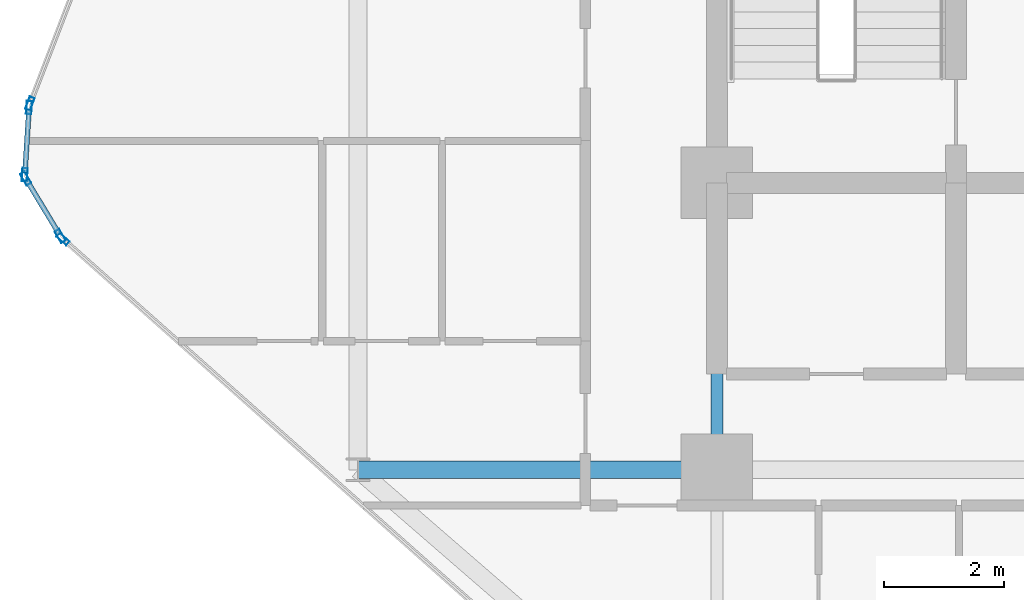
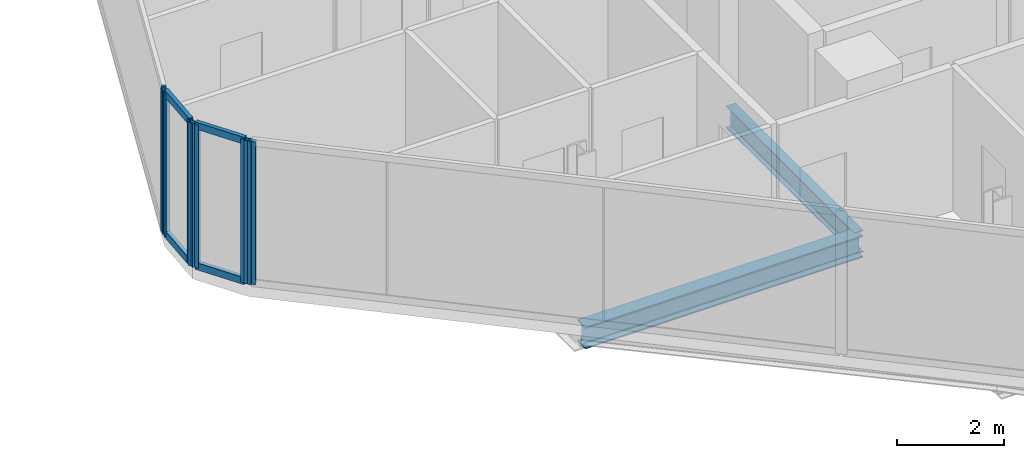
# One storey, part 6 of 33: 10 members, 2 beams, 4 elements without a shape of their own.
"""IFC4 building model written with IfcOpenShell, lengths in metres."""

from ifc_helpers import new_model, si_unit, direction, frame, origin, origin_2d, place, context, subcontext, project, spatial, hollow_rectangle, i_section, extrude, material, layer, layer_set, material_profile, profile_set, type_object, element, aggregate, save


model = new_model("IFC4")

# Units and contexts
model_context = context("Model", 3, precision=1e-05, world=origin(), true_north=direction((0.0, 1.0)))
body_context = subcontext(model_context, "Body", "Model", "MODEL_VIEW")
ifc_project = project(units=[si_unit("LENGTHUNIT", "METRE"), si_unit("AREAUNIT", "SQUARE_METRE"), si_unit("VOLUMEUNIT", "CUBIC_METRE"), si_unit("PLANEANGLEUNIT", "RADIAN"), si_unit("MASSUNIT", "GRAM", prefix="KILO")], contexts=[model_context])

# Site, building, storey
site_placement = place(None, origin())
site = spatial("IfcSite", under=ifc_project, at=site_placement, CompositionType="ELEMENT")
building_placement = place(site_placement, origin())
building = spatial("IfcBuilding", under=site, at=building_placement, Name="Keshet Zoharim Tower", CompositionType="ELEMENT")
storey_placement = place(building_placement, frame((0.0, 0.0, 57.300048828125)))
storey = spatial("IfcBuildingStorey", under=building, at=storey_placement, Name="L13", CompositionType="ELEMENT", Elevation=57.300048828125)

# Beams
ifc_material_1 = material(Name="Steel S355", Category="steel")
ifc_material_profile_1 = material_profile(ifc_material_1, i_section(OverallWidth=0.199951171875, OverallDepth=0.5, WebThickness=0.01025390625, FlangeThickness=0.01611328125, FilletRadius=0.02099609375, at=origin_2d()), Name="IPE500")
ifc_profile_set_1 = profile_set([ifc_material_profile_1], Name="Steel S355")
beam_type_1 = type_object("IfcBeamType", Name="BM-PRI-IP500", PredefinedType="BEAM", material=ifc_profile_set_1)
beam_1_placement = place(storey_placement, frame((15.0, 17.89990234375, -0.56494140625), z_axis=(0.0, 1.0, 0.0), x_axis=(-1.0, 0.0, 0.0)))
element("IfcBeam", 1, at=beam_1_placement, inside=storey, type_object=beam_type_1, Name="L13 Primary Girder Y-003", PredefinedType="BEAM", context=body_context, shape_type="SweptSolid", body=[
    extrude(i_section(OverallWidth=0.199951171875, OverallDepth=0.5, WebThickness=0.01025390625, FlangeThickness=0.01611328125, FilletRadius=0.02099609375, at=origin_2d()), origin(), (0.0, 0.0, 1.0), 4.800048828125),
])
ifc_material_profile_2 = material_profile(ifc_material_1, i_section(OverallWidth=0.300048828125, OverallDepth=0.5, WebThickness=0.014404296875, FlangeThickness=0.028076171875, FilletRadius=0.027099609375, at=origin_2d()), Name="HEB500")
ifc_profile_set_2 = profile_set([ifc_material_profile_2], Name="Steel S355")
beam_type_2 = type_object("IfcBeamType", Name="BM-WEB-HB500", PredefinedType="BEAM", material=ifc_profile_set_2)
beam_2_placement = place(storey_placement, frame((9.0, 17.89990234375, -0.56494140625), z_axis=(1.0, 0.0, 0.0), x_axis=(0.0, 1.0, 0.0)))
element("IfcBeam", 2, at=beam_2_placement, inside=storey, type_object=beam_type_2, Name="L13 Primary Girder X-015", PredefinedType="BEAM", context=body_context, shape_type="SweptSolid", body=[
    extrude(i_section(OverallWidth=0.300048828125, OverallDepth=0.5, WebThickness=0.014404296875, FlangeThickness=0.028076171875, FilletRadius=0.027099609375, at=origin_2d()), origin(), (0.0, 0.0, 1.0), 6.0),
])

# Curtain wall, member
ifc_material_2 = material(Name="Aluminium 6063-T6", Category="aluminium")
ifc_layer = layer(ifc_material_2, 0.179931640625)
ifc_layer_set = layer_set([ifc_layer], Name="Aluminium 6063-T6")
curtain_wall_type = type_object("IfcCurtainWallType", Name="CW-SYS-01", PredefinedType="NOTDEFINED", material=ifc_layer_set)
curtain_wall_1_placement = place(storey_placement, origin())
curtain_wall_1 = element("IfcCurtainWall", 3, at=curtain_wall_1_placement, inside=storey, type_object=curtain_wall_type, Name="L13 Unitised Curtain Wall 01", PredefinedType="NOTDEFINED")
ifc_material_profile_3 = material_profile(ifc_material_2, hollow_rectangle(XDim=0.090087890625, YDim=0.219970703125, WallThickness=0.0048828125, at=origin_2d()), Name="MUL-90x220")
ifc_profile_set_3 = profile_set([ifc_material_profile_3], Name="Aluminium 6063-T6")
member_type_1 = type_object("IfcMemberType", Name="CWM-M22", PredefinedType="MULLION", material=ifc_profile_set_3)
member_1_placement = place(storey_placement, frame((4.061279296875, 21.7568359375, 0.0), z_axis=(0.0, 0.0, 1.0), x_axis=(-0.664363838836, -0.747409318679, 0.0)))
member_1 = element("IfcMember", 4, at=member_1_placement, type_object=member_type_1, Name="CW-01 mullion 3", PredefinedType="MULLION", context=body_context, shape_type="SweptSolid", body=[
    extrude(hollow_rectangle(XDim=0.090087890625, YDim=0.219970703125, WallThickness=0.0048828125, at=origin_2d()), origin(), (0.0, 0.0, 1.0), 3.280029296875),
])
aggregate(curtain_wall_1, [member_1])

# Curtain wall, members
curtain_wall_2_placement = place(storey_placement, origin())
curtain_wall_2 = element("IfcCurtainWall", 5, at=curtain_wall_2_placement, inside=storey, type_object=curtain_wall_type, Name="L13 Unitised Curtain Wall 02", PredefinedType="NOTDEFINED")
member_2_placement = place(storey_placement, frame((4.016845703125, 21.81005859375, 0.0), z_axis=(0.0, 0.0, 1.0), x_axis=(-0.856826433805, -0.515604947933, 0.0)))
member_2 = element("IfcMember", 6, at=member_2_placement, type_object=member_type_1, Name="CW-01 mullion 1", PredefinedType="MULLION", context=body_context, shape_type="SweptSolid", body=[
    extrude(hollow_rectangle(XDim=0.090087890625, YDim=0.219970703125, WallThickness=0.0048828125, at=origin_2d()), origin(), (0.0, 0.0, 1.0), 3.280029296875),
])
member_3_placement = place(storey_placement, frame((3.43798828125, 22.77197265625, 0.0), z_axis=(0.0, 0.0, 1.0), x_axis=(-0.856826433805, -0.515604947933, 0.0)))
member_3 = element("IfcMember", 7, at=member_3_placement, type_object=member_type_1, Name="CW-01 mullion 2", PredefinedType="MULLION", context=body_context, shape_type="SweptSolid", body=[
    extrude(hollow_rectangle(XDim=0.090087890625, YDim=0.219970703125, WallThickness=0.0048828125, at=origin_2d()), origin(), (0.0, 0.0, 1.0), 3.280029296875),
])

curtain_wall_3_placement = place(storey_placement, origin())
curtain_wall_3 = element("IfcCurtainWall", 8, at=curtain_wall_3_placement, inside=storey, type_object=curtain_wall_type, Name="L13 Unitised Curtain Wall 03", PredefinedType="NOTDEFINED")
member_4_placement = place(storey_placement, frame((3.42236328125, 22.8369140625, 0.0), z_axis=(0.0, 0.0, 1.0), x_axis=(-0.997916617186, 0.064516859374, 0.0)))
member_4 = element("IfcMember", 9, at=member_4_placement, type_object=member_type_1, Name="CW-01 mullion 1", PredefinedType="MULLION", context=body_context, shape_type="SweptSolid", body=[
    extrude(hollow_rectangle(XDim=0.090087890625, YDim=0.219970703125, WallThickness=0.0048828125, at=origin_2d()), origin(), (0.0, 0.0, 1.0), 3.280029296875),
])
member_5_placement = place(storey_placement, frame((3.49462890625, 23.9580078125, 0.0), z_axis=(0.0, 0.0, 1.0), x_axis=(-0.997916617186, 0.064516859374, 0.0)))
member_5 = element("IfcMember", 10, at=member_5_placement, type_object=member_type_1, Name="CW-01 mullion 2", PredefinedType="MULLION", context=body_context, shape_type="SweptSolid", body=[
    extrude(hollow_rectangle(XDim=0.090087890625, YDim=0.219970703125, WallThickness=0.0048828125, at=origin_2d()), origin(), (0.0, 0.0, 1.0), 3.280029296875),
])

# Curtain wall, member
curtain_wall_4_placement = place(storey_placement, origin())
curtain_wall_4 = element("IfcCurtainWall", 11, at=curtain_wall_4_placement, inside=storey, type_object=curtain_wall_type, Name="L13 Unitised Curtain Wall 04", PredefinedType="NOTDEFINED")
member_6_placement = place(storey_placement, frame((3.509521484375, 24.025634765625, 0.0), z_axis=(0.0, 0.0, 1.0), x_axis=(-0.933341404361, 0.358990003907, 0.0)))
member_6 = element("IfcMember", 12, at=member_6_placement, type_object=member_type_1, Name="CW-01 mullion 1", PredefinedType="MULLION", context=body_context, shape_type="SweptSolid", body=[
    extrude(hollow_rectangle(XDim=0.090087890625, YDim=0.219970703125, WallThickness=0.0048828125, at=origin_2d()), origin(), (0.0, 0.0, 1.0), 3.280029296875),
])
aggregate(curtain_wall_4, [member_6])

# Member
ifc_material_profile_4 = material_profile(ifc_material_2, hollow_rectangle(XDim=0.0849609375, YDim=0.159912109375, WallThickness=0.00439453125, at=origin_2d()), Name="TRN-85x160")
ifc_profile_set_4 = profile_set([ifc_material_profile_4], Name="Aluminium 6063-T6")
member_type_2 = type_object("IfcMemberType", Name="CWT-T16", PredefinedType="USERDEFINED", material=ifc_profile_set_4)
member_7_placement = place(storey_placement, frame((3.9990234375, 21.840087890625, 0.034912109375), z_axis=(-0.515791194107, 0.856714330499, 0.0), x_axis=(-0.856714330499, -0.515791194107, 0.0)))
member_7 = element("IfcMember", 13, at=member_7_placement, type_object=member_type_2, Name="CW-01 transom 1.1", ObjectType="TRANSOM", PredefinedType="USERDEFINED", context=body_context, shape_type="SweptSolid", body=[
    extrude(hollow_rectangle(XDim=0.0849609375, YDim=0.159912109375, WallThickness=0.00439453125, at=origin_2d()), origin(), (0.0, 0.0, 1.0), 1.052734375),
])

member_8_placement = place(storey_placement, frame((3.9990234375, 21.840087890625, 3.244873046875), z_axis=(-0.515791194107, 0.856714330499, 0.0), x_axis=(-0.856714330499, -0.515791194107, 0.0)))
member_8 = element("IfcMember", 14, at=member_8_placement, type_object=member_type_2, Name="CW-01 transom 1.2", ObjectType="TRANSOM", PredefinedType="USERDEFINED", context=body_context, shape_type="SweptSolid", body=[
    extrude(hollow_rectangle(XDim=0.0849609375, YDim=0.159912109375, WallThickness=0.00439453125, at=origin_2d()), origin(), (0.0, 0.0, 1.0), 1.052734375),
])

aggregate(curtain_wall_2, [member_2, member_3, member_7, member_8])

member_9_placement = place(storey_placement, frame((3.424560546875, 22.871826171875, 0.034912109375), z_axis=(0.064426947155, 0.997922426083, 0.0), x_axis=(-0.997922426083, 0.064426947155, 0.0)))
member_9 = element("IfcMember", 15, at=member_9_placement, type_object=member_type_2, Name="CW-01 transom 1.1", ObjectType="TRANSOM", PredefinedType="USERDEFINED", context=body_context, shape_type="SweptSolid", body=[
    extrude(hollow_rectangle(XDim=0.0849609375, YDim=0.159912109375, WallThickness=0.00439453125, at=origin_2d()), origin(), (0.0, 0.0, 1.0), 1.053466796875),
])

member_10_placement = place(storey_placement, frame((3.424560546875, 22.871826171875, 3.244873046875), z_axis=(0.064426947155, 0.997922426083, 0.0), x_axis=(-0.997922426083, 0.064426947155, 0.0)))
member_10 = element("IfcMember", 16, at=member_10_placement, type_object=member_type_2, Name="CW-01 transom 1.2", ObjectType="TRANSOM", PredefinedType="USERDEFINED", context=body_context, shape_type="SweptSolid", body=[
    extrude(hollow_rectangle(XDim=0.0849609375, YDim=0.159912109375, WallThickness=0.00439453125, at=origin_2d()), origin(), (0.0, 0.0, 1.0), 1.053466796875),
])

aggregate(curtain_wall_3, [member_4, member_5, member_9, member_10])

save(model, "model.ifc")
